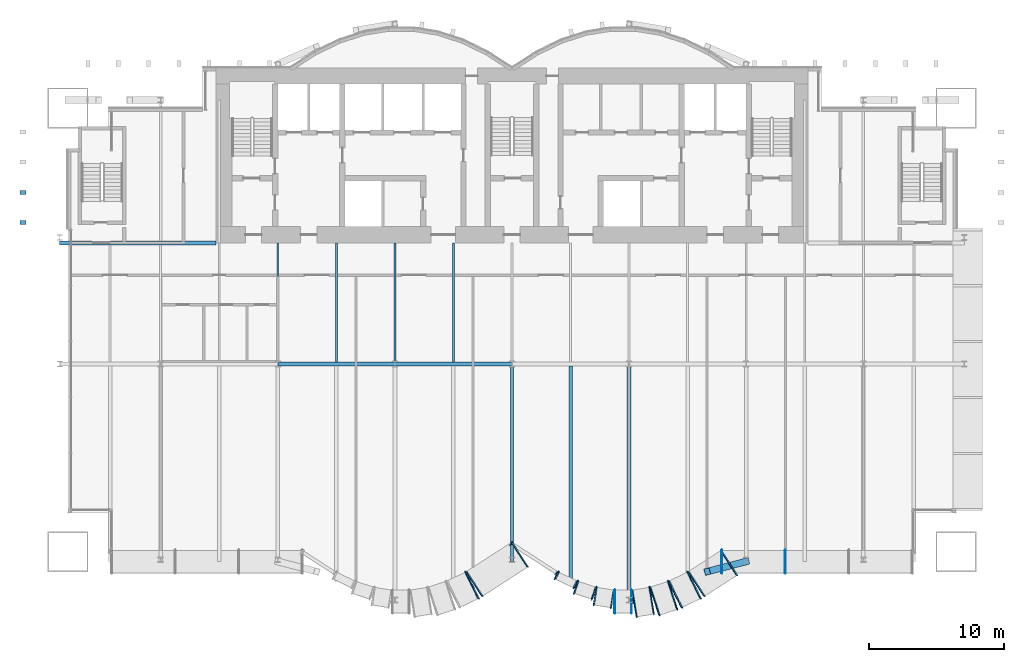
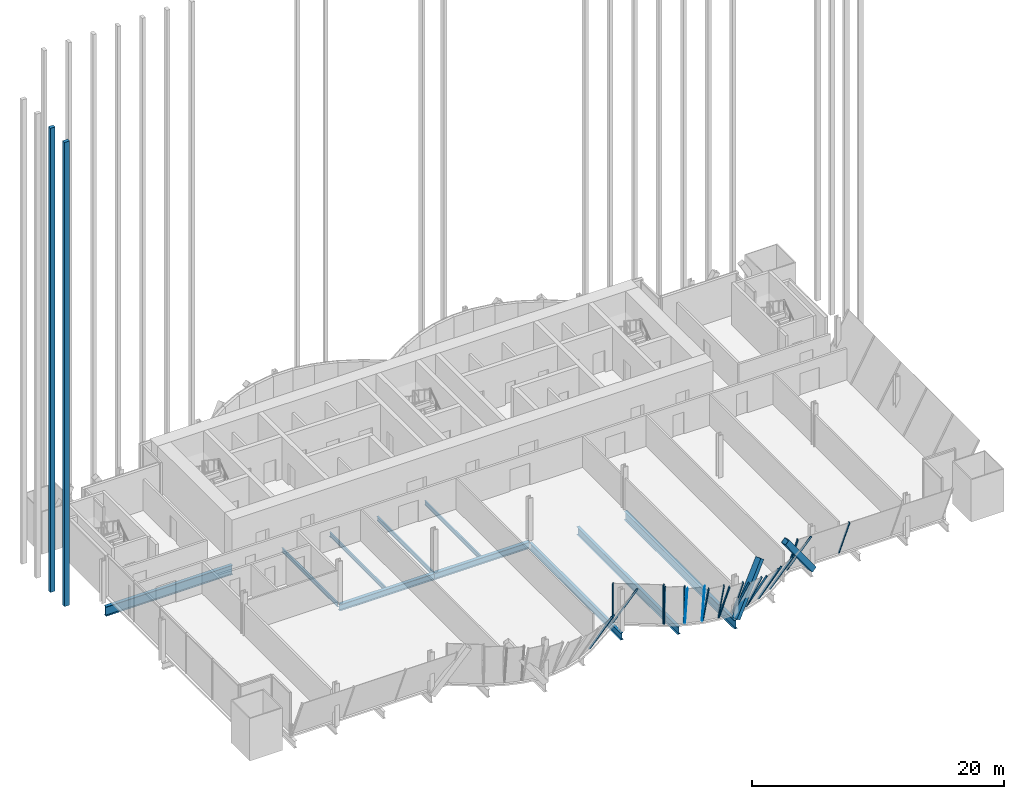
# One storey, part 7 of 22: 27 members, 10 beams, 13 elements without a shape of their own.
"""IFC4 building model written with IfcOpenShell, lengths in metres."""

import ifcopenshell
import ifcopenshell.guid

model = None  # the IFC model being written
_history = None  # IfcOwnerHistory: only IFC2X3 demands one
_inside = {}  # id of a spatial element -> (the spatial element, [elements in it])
_under = {}  # id of a project, library or spatial element -> (it, [spatial elements below it])
_declared = {}  # id of a project -> (the project, [libraries it declares])
_typed = {}  # id of a type object -> (the type object, [elements of that type])
_made_of = {}  # id of a material, layer set ... -> (it, [elements and type objects made of it])


def new_model(schema):
    """Start an empty IFC model of exactly this schema.

    Asked for "IFC4X3", IfcOpenShell would pick the latest addendum, in which some entities
    have other attributes; the version numbers below select the first issue.
    IFC2X3 requires an IfcOwnerHistory on every rooted entity: one is made here for all.
    """
    global model, _history
    if schema == "IFC4X3":
        model = ifcopenshell.file(schema_version=(4, 3, 0, 0))
    else:
        model = ifcopenshell.file(schema=schema)
    _inside.clear()
    _under.clear()
    _declared.clear()
    _typed.clear()
    _made_of.clear()
    _history = None
    if model.schema == "IFC2X3":
        org = make("IfcOrganization", Name="unknown")
        user = make(
            "IfcPersonAndOrganization",
            ThePerson=make("IfcPerson", FamilyName="unknown"),
            TheOrganization=org,
        )
        app = make(
            "IfcApplication",
            ApplicationDeveloper=org,
            Version="unknown",
            ApplicationFullName="unknown",
            ApplicationIdentifier="unknown",
        )
        _history = make(
            "IfcOwnerHistory",
            OwningUser=user,
            OwningApplication=app,
            ChangeAction="ADDED",
            CreationDate=0,
        )
    return model


def make(cls, **values):
    """One entity of the class cls with the attributes given. An attribute that is None is left unset."""
    return model.create_entity(
        cls, **{name: value for name, value in values.items() if value is not None}
    )


def rooted(cls, **values):
    """An entity with a GlobalId (a new one), such as an element, a storey or a relation."""
    return make(cls, GlobalId=ifcopenshell.guid.new(), OwnerHistory=_history, **values)


def si_unit(unit_type, name, prefix=None):
    """IfcSIUnit, for example si_unit("LENGTHUNIT", "METRE", prefix="MILLI")."""
    return make("IfcSIUnit", UnitType=unit_type, Prefix=prefix, Name=name)


def assignment(units):
    """IfcUnitAssignment: the units of a project."""
    return None if units is None else make("IfcUnitAssignment", Units=units)


def point(xyz):
    """IfcCartesianPoint."""
    return None if xyz is None else make("IfcCartesianPoint", Coordinates=xyz)


def direction(xyz):
    """IfcDirection."""
    return None if xyz is None else make("IfcDirection", DirectionRatios=xyz)


def frame(location, z_axis=None, x_axis=None):
    """IfcAxis2Placement3D, a coordinate frame: its origin and axes. An axis left out is left unset."""
    return make(
        "IfcAxis2Placement3D",
        Location=point(location),
        Axis=direction(z_axis),
        RefDirection=direction(x_axis),
    )


def frame_2d(location, x_axis=None):
    """IfcAxis2Placement2D, a coordinate frame in the plane: its origin and x axis."""
    return make(
        "IfcAxis2Placement2D", Location=point(location), RefDirection=direction(x_axis)
    )


def origin():
    """The frame at (0, 0, 0) with its axes left unset."""
    return frame((0.0, 0.0, 0.0))


def origin_2d():
    """The frame at (0, 0) in the plane with its x axis left unset."""
    return frame_2d((0.0, 0.0))


def place(relative_to, where):
    """IfcLocalPlacement: puts the frame where relative to a parent placement (None: the world)."""
    return make(
        "IfcLocalPlacement", PlacementRelTo=relative_to, RelativePlacement=where
    )


def context(
    kind, dimensions, precision=None, world=None, true_north=None, identifier=None
):
    """IfcGeometricRepresentationContext, for example the 3D "Model" context."""
    return make(
        "IfcGeometricRepresentationContext",
        ContextIdentifier=identifier,
        ContextType=kind,
        CoordinateSpaceDimension=dimensions,
        Precision=precision,
        WorldCoordinateSystem=world,
        TrueNorth=true_north,
    )


def subcontext(parent, identifier, kind, view, scale=None):
    """IfcGeometricRepresentationSubContext, for example "Body" below "Model"."""
    return make(
        "IfcGeometricRepresentationSubContext",
        ContextIdentifier=identifier,
        ContextType=kind,
        ParentContext=parent,
        TargetScale=scale,
        TargetView=view,
    )


def project(units=None, contexts=None):
    """IfcProject with its units and contexts."""
    return rooted(
        "IfcProject",
        Name="project",
        RepresentationContexts=contexts,
        UnitsInContext=assignment(units),
    )


def spatial(cls, under=None, at=None, **own):
    """A site, building, storey or space (cls), placed at a placement, below another one or the project."""
    s = rooted(cls, ObjectPlacement=at, **own)
    if under is not None:
        _under.setdefault(under.id(), (under, []))[1].append(s)
    return s


def profile(cls, at=None, kind="AREA", **sizes):
    """A parametric profile (cls). Its sizes go by their IFC names, for example OverallWidth=200.0."""
    return make(cls, ProfileType=kind, Position=at, **sizes)


def rectangle(**sizes):
    """IfcRectangleProfileDef."""
    return profile("IfcRectangleProfileDef", **sizes)


def hollow_rectangle(**sizes):
    """IfcRectangleHollowProfileDef."""
    return profile("IfcRectangleHollowProfileDef", **sizes)


def i_section(**sizes):
    """IfcIShapeProfileDef."""
    return profile("IfcIShapeProfileDef", **sizes)


def extrude(swept, where, along, depth):
    """IfcExtrudedAreaSolid: the profile swept, set in the frame where, extruded along a direction by depth."""
    return make(
        "IfcExtrudedAreaSolid",
        SweptArea=swept,
        Position=where,
        ExtrudedDirection=direction(along),
        Depth=depth,
    )


def shape(context_of_items, identifier, shape_type, items):
    """IfcShapeRepresentation: the items that make up one representation, for example the "Body"."""
    return make(
        "IfcShapeRepresentation",
        ContextOfItems=context_of_items,
        RepresentationIdentifier=identifier,
        RepresentationType=shape_type,
        Items=items,
    )


def material(Name=None, Category=None):
    """IfcMaterial."""
    return make("IfcMaterial", Name=Name, Category=Category)


def material_profile(
    of_material, cross_section, Name=None, Category=None, Priority=None
):
    """IfcMaterialProfile: a cross section and its material."""
    return make(
        "IfcMaterialProfile",
        Name=Name,
        Material=of_material,
        Profile=cross_section,
        Priority=Priority,
        Category=Category,
    )


def profile_set(profiles, Name=None, composite=None):
    """IfcMaterialProfileSet."""
    return make(
        "IfcMaterialProfileSet",
        Name=Name,
        MaterialProfiles=profiles,
        CompositeProfile=composite,
    )


def made_of(thing, what):
    """Note that an element or type object is made of a material, layer set ...; save() writes the relation."""
    if what is not None:
        _made_of.setdefault(what.id(), (what, []))[1].append(thing)
    return thing


def type_object(cls, material=None, **own):
    """A type object (cls), such as IfcWallType, which elements share."""
    return made_of(rooted(cls, **own), material)


def element(
    cls,
    number,
    at=None,
    inside=None,
    cuts=None,
    type_object=None,
    material=None,
    context=None,
    identifier="Body",
    shape_type=None,
    held_by="IfcProductDefinitionShape",
    body=None,
    shapes=None,
    **own,
):
    """One element of the class cls, such as IfcWall. Its Tag is "e" and its number.

    at: its placement. inside: the storey or other place that contains it. cuts: it is an
    opening in that element (IfcRelVoidsElement). A single representation is given by context,
    identifier, shape_type and body (its items); several are given by shapes. held_by: the class
    of the entity that holds the representations. save() writes the other relations.
    """
    e = rooted(cls, Tag="e%d" % number, ObjectPlacement=at, **own)
    if body is not None:
        shapes = [shape(context, identifier, shape_type, body)]
    if shapes is not None:
        e.Representation = make(held_by, Representations=shapes)
    if inside is not None:
        _inside.setdefault(inside.id(), (inside, []))[1].append(e)
    if cuts is not None:
        rooted(
            "IfcRelVoidsElement", RelatingBuildingElement=cuts, RelatedOpeningElement=e
        )
    if type_object is not None:
        _typed.setdefault(type_object.id(), (type_object, []))[1].append(e)
    return made_of(e, material)


def aggregate(whole, parts):
    """IfcRelAggregates: a whole, such as a stair, and the parts it consists of."""
    return rooted("IfcRelAggregates", RelatingObject=whole, RelatedObjects=parts)


def save(model, path):
    """Write the relations noted so far, then the file.

    IfcRelAggregates (storeys below a building ...), IfcRelContainedInSpatialStructure (elements
    in a storey), IfcRelDefinesByType, IfcRelAssociatesMaterial and IfcRelDeclares: one each for
    every whole, place, type object, material and project.
    """
    for whole, parts in _under.values():
        aggregate(whole, parts)
    for where, things in _inside.values():
        rooted(
            "IfcRelContainedInSpatialStructure",
            RelatedElements=things,
            RelatingStructure=where,
        )
    for kind, things in _typed.values():
        rooted("IfcRelDefinesByType", RelatedObjects=things, RelatingType=kind)
    for what, things in _made_of.values():
        rooted("IfcRelAssociatesMaterial", RelatedObjects=things, RelatingMaterial=what)
    for by, libraries in _declared.values():
        rooted("IfcRelDeclares", RelatingContext=by, RelatedDefinitions=libraries)
    model.write(path)


model = new_model("IFC4")

# Units and contexts
model_context = context("Model", 3, precision=1e-05, world=origin(), true_north=direction((0.0, 1.0)))
body_context = subcontext(model_context, "Body", "Model", "MODEL_VIEW")
ifc_project = project(units=[si_unit("LENGTHUNIT", "METRE"), si_unit("AREAUNIT", "SQUARE_METRE"), si_unit("VOLUMEUNIT", "CUBIC_METRE"), si_unit("PLANEANGLEUNIT", "RADIAN"), si_unit("MASSUNIT", "GRAM", prefix="KILO")], contexts=[model_context])

# Site, building, storey
site_placement = place(None, origin())
site = spatial("IfcSite", under=ifc_project, at=site_placement, CompositionType="ELEMENT")
building_placement = place(site_placement, origin())
building = spatial("IfcBuilding", under=site, at=building_placement, Name="Bicima Exchange Tower", CompositionType="ELEMENT")
storey_placement = place(building_placement, frame((0.0, 0.0, 89.89990234375)))
storey = spatial("IfcBuildingStorey", under=building, at=storey_placement, Name="L18", CompositionType="ELEMENT", Elevation=89.89990234375)

# Beams
ifc_material_1 = material(Name="Steel ASTM A992 Gr 50", Category="steel")
ifc_material_profile_1 = material_profile(ifc_material_1, i_section(OverallWidth=0.3046875, OverallDepth=0.911865234375, WebThickness=0.015869140625, FlangeThickness=0.02392578125, at=origin_2d()))
ifc_profile_set_1 = profile_set([ifc_material_profile_1], Name="Steel ASTM A992 Gr 50")
beam_type_1 = type_object("IfcBeamType", Name="Core-line girder W36x150", PredefinedType="BEAM", material=ifc_profile_set_1)
beam_1_placement = place(storey_placement, frame((-22.0, -13.0, -0.605712890625), z_axis=(-1.0, 0.0, 0.0), x_axis=(0.0, -1.0, 0.0)))
element("IfcBeam", 1, at=beam_1_placement, inside=storey, type_object=beam_type_1, Name="Core-line girder", PredefinedType="BEAM", context=body_context, shape_type="SweptSolid", body=[
    extrude(i_section(OverallWidth=0.3046875, OverallDepth=0.911865234375, WebThickness=0.015869140625, FlangeThickness=0.02392578125, at=origin_2d()), origin(), (0.0, 0.0, 1.0), 11.60009765625),
])
ifc_material_profile_2 = material_profile(ifc_material_1, i_section(OverallWidth=0.140380859375, OverallDepth=0.40380859375, WebThickness=0.007080078125, FlangeThickness=0.01123046875, at=origin_2d()))
ifc_profile_set_2 = profile_set([ifc_material_profile_2], Name="Steel ASTM A992 Gr 50")
beam_type_2 = type_object("IfcBeamType", Name="Floor beam W16x31", PredefinedType="JOIST", material=ifc_profile_set_2)
for number, where, z_axis, x_axis, name in (
    (2, (-17.39990234375, -13.0, -0.351806640625), (0.0, -1.0, 0.0), (1.0, 0.0, 0.0), "Floor beam"),
    (3, (-13.050048828125, -13.0, -0.351806640625), (0.0, -1.0, 0.0), (1.0, 0.0, 0.0), "Floor beam"),
    (4, (-8.699951171875, -13.0, -0.351806640625), (0.0, -1.0, 0.0), (1.0, 0.0, 0.0), "Floor beam"),
    (5, (-4.35009765625, -13.0, -0.351806640625), (0.0, -1.0, 0.0), (1.0, 0.0, 0.0), "Floor beam"),
):
    element("IfcBeam", number, at=place(storey_placement, frame(where, z_axis=z_axis, x_axis=x_axis)), inside=storey, type_object=beam_type_2, Name=name, PredefinedType="JOIST", context=body_context, shape_type="SweptSolid", body=[
        extrude(i_section(OverallWidth=0.140380859375, OverallDepth=0.40380859375, WebThickness=0.007080078125, FlangeThickness=0.01123046875, at=origin_2d()), origin(), (0.0, 0.0, 1.0), 8.83740234375),
    ])
ifc_material_profile_3 = material_profile(ifc_material_1, i_section(OverallWidth=0.25390625, OverallDepth=0.67822265625, WebThickness=0.01171875, FlangeThickness=0.016357421875, at=origin_2d()))
ifc_profile_set_3 = profile_set([ifc_material_profile_3], Name="Steel ASTM A992 Gr 50")
beam_type_3 = type_object("IfcBeamType", Name="Floor beam W27x84", PredefinedType="JOIST", material=ifc_profile_set_3)
beam_2_placement = place(storey_placement, frame((0.0, -22.16259765625, -0.489013671875), z_axis=(0.0, -1.0, 0.0), x_axis=(1.0, 0.0, 0.0)))
element("IfcBeam", 6, at=beam_2_placement, inside=storey, type_object=beam_type_3, Name="Floor beam", PredefinedType="JOIST", context=body_context, shape_type="SweptSolid", body=[
    extrude(i_section(OverallWidth=0.25390625, OverallDepth=0.67822265625, WebThickness=0.01171875, FlangeThickness=0.016357421875, at=origin_2d()), origin(), (0.0, 0.0, 1.0), 14.509521484375),
])
ifc_material_profile_4 = material_profile(ifc_material_1, i_section(OverallWidth=0.2666015625, OverallDepth=0.75439453125, WebThickness=0.01318359375, FlangeThickness=0.01708984375, at=origin_2d()))
ifc_profile_set_4 = profile_set([ifc_material_profile_4], Name="Steel ASTM A992 Gr 50")
beam_type_4 = type_object("IfcBeamType", Name="Floor beam W30x99", PredefinedType="JOIST", material=ifc_profile_set_4)
beam_3_placement = place(storey_placement, frame((4.35009765625, -22.16259765625, -0.527099609375), z_axis=(0.0, -1.0, 0.0), x_axis=(1.0, 0.0, 0.0)))
element("IfcBeam", 7, at=beam_3_placement, inside=storey, type_object=beam_type_4, Name="Floor beam", PredefinedType="JOIST", context=body_context, shape_type="SweptSolid", body=[
    extrude(i_section(OverallWidth=0.2666015625, OverallDepth=0.75439453125, WebThickness=0.01318359375, FlangeThickness=0.01708984375, at=origin_2d()), origin(), (0.0, 0.0, 1.0), 16.0048828125),
])
ifc_material_profile_5 = material_profile(ifc_material_1, i_section(OverallWidth=0.2919921875, OverallDepth=0.835693359375, WebThickness=0.013916015625, FlangeThickness=0.018798828125, at=origin_2d()))
ifc_profile_set_5 = profile_set([ifc_material_profile_5], Name="Steel ASTM A992 Gr 50")
beam_type_5 = type_object("IfcBeamType", Name="Floor beam W33x118", PredefinedType="JOIST", material=ifc_profile_set_5)
beam_4_placement = place(storey_placement, frame((8.699951171875, -22.16259765625, -0.567626953125), z_axis=(0.0, -1.0, 0.0), x_axis=(1.0, 0.0, 0.0)))
element("IfcBeam", 8, at=beam_4_placement, inside=storey, type_object=beam_type_5, Name="Floor beam", PredefinedType="JOIST", context=body_context, shape_type="SweptSolid", body=[
    extrude(i_section(OverallWidth=0.2919921875, OverallDepth=0.835693359375, WebThickness=0.013916015625, FlangeThickness=0.018798828125, at=origin_2d()), origin(), (0.0, 0.0, 1.0), 17.50048828125),
])

# Curtain wall, member
ifc_material_2 = material(Name="Anodised bronze aluminium", Category="aluminium")
curtain_wall_type_1 = type_object("IfcCurtainWallType", Name="Front glass wall", PredefinedType="NOTDEFINED", material=ifc_material_2)
curtain_wall_1_placement = place(storey_placement, origin())
curtain_wall_1 = element("IfcCurtainWall", 9, at=curtain_wall_1_placement, inside=storey, type_object=curtain_wall_type_1, Name="Canted glass wall L18 43.1", PredefinedType="NOTDEFINED")
ifc_material_profile_6 = material_profile(ifc_material_2, rectangle(XDim=0.159912109375, YDim=0.06005859375, at=origin_2d()))
ifc_profile_set_6 = profile_set([ifc_material_profile_6], Name="Anodised bronze aluminium")
member_type_1 = type_object("IfcMemberType", Name="Front glass wall mullion 60 x 160", PredefinedType="MULLION", material=ifc_profile_set_6)
member_1_placement = place(storey_placement, frame((-3.447509765625, -37.4501953125, 0.0), z_axis=(0.211468405272, -0.436234670385, 0.874631594402), x_axis=(-0.735862958837, 0.517894230961, 0.436223877554)))
member_1 = element("IfcMember", 10, at=member_1_placement, type_object=member_type_1, Name="Canted glass mullion 2", PredefinedType="MULLION", context=body_context, shape_type="SweptSolid", body=[
    extrude(rectangle(XDim=0.159912109375, YDim=0.06005859375, at=origin_2d()), origin(), (0.0, 0.0, 1.0), 4.516357421875),
])
aggregate(curtain_wall_1, [member_1])

# Curtain wall, members
curtain_wall_2_placement = place(storey_placement, origin())
curtain_wall_2 = element("IfcCurtainWall", 11, at=curtain_wall_2_placement, inside=storey, type_object=curtain_wall_type_1, Name="Canted glass wall L18 44.1", PredefinedType="NOTDEFINED")
member_2_placement = place(storey_placement, frame((-3.3955078125, -37.4208984375, 0.0), z_axis=(0.263202446928, -0.407101587147, 0.874638650914), x_axis=(-0.854710803456, 0.322068996881, 0.407113010973)))
member_2 = element("IfcMember", 12, at=member_2_placement, type_object=member_type_1, Name="Canted glass mullion 1", PredefinedType="MULLION", context=body_context, shape_type="SweptSolid", body=[
    extrude(rectangle(XDim=0.159912109375, YDim=0.06005859375, at=origin_2d()), origin(), (0.0, 0.0, 1.0), 4.516357421875),
])
member_3_placement = place(storey_placement, frame((-0.025146484375, -35.2421875, 0.0), z_axis=(0.263202446928, -0.407101587147, 0.874638650914), x_axis=(-0.854710803456, 0.322068996881, 0.407113010973)))
member_3 = element("IfcMember", 13, at=member_3_placement, type_object=member_type_1, Name="Canted glass mullion 2", PredefinedType="MULLION", context=body_context, shape_type="SweptSolid", body=[
    extrude(rectangle(XDim=0.159912109375, YDim=0.06005859375, at=origin_2d()), origin(), (0.0, 0.0, 1.0), 4.516357421875),
])
aggregate(curtain_wall_2, [member_2, member_3])

curtain_wall_3_placement = place(storey_placement, origin())
curtain_wall_3 = element("IfcCurtainWall", 14, at=curtain_wall_3_placement, inside=storey, type_object=curtain_wall_type_1, Name="Canted glass wall L18 45.1", PredefinedType="NOTDEFINED")
member_4_placement = place(storey_placement, frame((0.025146484375, -35.2421875, 0.0), z_axis=(-0.032758433184, -0.050710794872, 0.998175986657), x_axis=(0.910881897078, 0.409540854769, 0.05069968294)))
member_4 = element("IfcMember", 15, at=member_4_placement, type_object=member_type_1, Name="Canted glass mullion 1", PredefinedType="MULLION", context=body_context, shape_type="SweptSolid", body=[
    extrude(rectangle(XDim=0.159912109375, YDim=0.06005859375, at=origin_2d()), origin(), (0.0, 0.0, 1.0), 3.95751953125),
])
member_5_placement = place(storey_placement, frame((3.3955078125, -37.4208984375, 0.0), z_axis=(-0.032820058759, -0.050710692293, 0.998173967518), x_axis=(0.911231977344, 0.408757853479, 0.050727711218)))
member_5 = element("IfcMember", 16, at=member_5_placement, type_object=member_type_1, Name="Canted glass mullion 2", PredefinedType="MULLION", context=body_context, shape_type="SweptSolid", body=[
    extrude(rectangle(XDim=0.159912109375, YDim=0.06005859375, at=origin_2d()), origin(), (0.0, 0.0, 1.0), 3.95751953125),
])
aggregate(curtain_wall_3, [member_4, member_5])

curtain_wall_4_placement = place(storey_placement, origin())
curtain_wall_4 = element("IfcCurtainWall", 17, at=curtain_wall_4_placement, inside=storey, type_object=curtain_wall_type_1, Name="Canted glass wall L18 46.1", PredefinedType="NOTDEFINED")
member_6_placement = place(storey_placement, frame((3.447509765625, -37.4501953125, 0.0), z_axis=(-0.062452607082, -0.128819971122, 0.989699493235), x_axis=(0.781051508244, 0.611035322991, 0.128819158228)))
member_6 = element("IfcMember", 18, at=member_6_placement, type_object=member_type_1, Name="Canted glass mullion 1", PredefinedType="MULLION", context=body_context, shape_type="SweptSolid", body=[
    extrude(rectangle(XDim=0.159912109375, YDim=0.06005859375, at=origin_2d()), origin(), (0.0, 0.0, 1.0), 3.9912109375),
])
member_7_placement = place(storey_placement, frame((4.8466796875, -38.128662109375, 0.0), z_axis=(-0.062452607082, -0.128819971122, 0.989699493235), x_axis=(0.781051508244, 0.611035322991, 0.128819158228)))
member_7 = element("IfcMember", 19, at=member_7_placement, type_object=member_type_1, Name="Canted glass mullion 2", PredefinedType="MULLION", context=body_context, shape_type="SweptSolid", body=[
    extrude(rectangle(XDim=0.159912109375, YDim=0.06005859375, at=origin_2d()), origin(), (0.0, 0.0, 1.0), 3.9912109375),
])
aggregate(curtain_wall_4, [member_6, member_7])

curtain_wall_5_placement = place(storey_placement, origin())
curtain_wall_5 = element("IfcCurtainWall", 20, at=curtain_wall_5_placement, inside=storey, type_object=curtain_wall_type_1, Name="Canted glass wall L18 47.1", PredefinedType="NOTDEFINED")
member_8_placement = place(storey_placement, frame((4.90234375, -38.15087890625, 0.0), z_axis=(-0.071018549868, -0.219730551413, 0.972972173472), x_axis=(0.577402534066, 0.786337207926, 0.219727351699)))
member_8 = element("IfcMember", 21, at=member_8_placement, type_object=member_type_1, Name="Canted glass mullion 1", PredefinedType="MULLION", context=body_context, shape_type="SweptSolid", body=[
    extrude(rectangle(XDim=0.159912109375, YDim=0.06005859375, at=origin_2d()), origin(), (0.0, 0.0, 1.0), 4.059814453125),
])
member_9_placement = place(storey_placement, frame((6.230224609375, -38.580078125, 0.0), z_axis=(-0.071018549868, -0.219730551413, 0.972972173472), x_axis=(0.577402534066, 0.786337207926, 0.219727351699)))
member_9 = element("IfcMember", 22, at=member_9_placement, type_object=member_type_1, Name="Canted glass mullion 2", PredefinedType="MULLION", context=body_context, shape_type="SweptSolid", body=[
    extrude(rectangle(XDim=0.159912109375, YDim=0.06005859375, at=origin_2d()), origin(), (0.0, 0.0, 1.0), 4.059814453125),
])
aggregate(curtain_wall_5, [member_8, member_9])

curtain_wall_6_placement = place(storey_placement, origin())
curtain_wall_6 = element("IfcCurtainWall", 23, at=curtain_wall_6_placement, inside=storey, type_object=curtain_wall_type_1, Name="Canted glass wall L18 48.1", PredefinedType="NOTDEFINED")
member_10_placement = place(storey_placement, frame((6.288330078125, -38.59423828125, 0.0), z_axis=(-0.050535241989, -0.312532917682, 0.948561734777), x_axis=(0.306995075409, 0.89893019655, 0.312535638616)))
member_10 = element("IfcMember", 24, at=member_10_placement, type_object=member_type_1, Name="Canted glass mullion 1", PredefinedType="MULLION", context=body_context, shape_type="SweptSolid", body=[
    extrude(rectangle(XDim=0.159912109375, YDim=0.06005859375, at=origin_2d()), origin(), (0.0, 0.0, 1.0), 4.164306640625),
])
member_11_placement = place(storey_placement, frame((7.56298828125, -38.80029296875, 0.0), z_axis=(-0.050535241989, -0.312532917682, 0.948561734777), x_axis=(0.306995075409, 0.89893019655, 0.312535638616)))
member_11 = element("IfcMember", 25, at=member_11_placement, type_object=member_type_1, Name="Canted glass mullion 2", PredefinedType="MULLION", context=body_context, shape_type="SweptSolid", body=[
    extrude(rectangle(XDim=0.159912109375, YDim=0.06005859375, at=origin_2d()), origin(), (0.0, 0.0, 1.0), 4.164306640625),
])
aggregate(curtain_wall_6, [member_10, member_11])

curtain_wall_7_placement = place(storey_placement, origin())
curtain_wall_7 = element("IfcCurtainWall", 26, at=curtain_wall_7_placement, inside=storey, type_object=curtain_wall_type_1, Name="Canted glass wall L18 49.1", PredefinedType="NOTDEFINED")
member_12_placement = place(storey_placement, frame((7.62255859375, -38.804931640625, 0.0), z_axis=(0.0, -0.392560507207, 0.91972618109), x_axis=(0.0, 0.91972618109, 0.392560507207)))
member_12 = element("IfcMember", 27, at=member_12_placement, type_object=member_type_1, Name="Canted glass mullion 1", PredefinedType="MULLION", context=body_context, shape_type="SweptSolid", body=[
    extrude(rectangle(XDim=0.159912109375, YDim=0.06005859375, at=origin_2d()), origin(), (0.0, 0.0, 1.0), 4.294921875),
])
member_13_placement = place(storey_placement, frame((8.87744140625, -38.804931640625, 0.0), z_axis=(0.0, -0.392560507207, 0.91972618109), x_axis=(0.0, 0.91972618109, 0.392560507207)))
member_13 = element("IfcMember", 28, at=member_13_placement, type_object=member_type_1, Name="Canted glass mullion 2", PredefinedType="MULLION", context=body_context, shape_type="SweptSolid", body=[
    extrude(rectangle(XDim=0.159912109375, YDim=0.06005859375, at=origin_2d()), origin(), (0.0, 0.0, 1.0), 4.294921875),
])
aggregate(curtain_wall_7, [member_12, member_13])

curtain_wall_8_placement = place(storey_placement, origin())
curtain_wall_8 = element("IfcCurtainWall", 29, at=curtain_wall_8_placement, inside=storey, type_object=curtain_wall_type_1, Name="Canted glass wall L18 50.1", PredefinedType="NOTDEFINED")
member_14_placement = place(storey_placement, frame((8.93701171875, -38.80029296875, 0.0), z_axis=(0.072379022508, -0.447714379714, 0.891242453712), x_axis=(-0.297936279173, 0.843080281656, 0.447715995064)))
member_14 = element("IfcMember", 30, at=member_14_placement, type_object=member_type_1, Name="Canted glass mullion 1", PredefinedType="MULLION", context=body_context, shape_type="SweptSolid", body=[
    extrude(rectangle(XDim=0.159912109375, YDim=0.06005859375, at=origin_2d()), origin(), (0.0, 0.0, 1.0), 4.43212890625),
])
member_15_placement = place(storey_placement, frame((10.211669921875, -38.59423828125, 0.0), z_axis=(0.072379022508, -0.447714379714, 0.891242453712), x_axis=(-0.297936279173, 0.843080281656, 0.447715995064)))
member_15 = element("IfcMember", 31, at=member_15_placement, type_object=member_type_1, Name="Canted glass mullion 2", PredefinedType="MULLION", context=body_context, shape_type="SweptSolid", body=[
    extrude(rectangle(XDim=0.159912109375, YDim=0.06005859375, at=origin_2d()), origin(), (0.0, 0.0, 1.0), 4.43212890625),
])
aggregate(curtain_wall_8, [member_14, member_15])

curtain_wall_9_placement = place(storey_placement, origin())
curtain_wall_9 = element("IfcCurtainWall", 32, at=curtain_wall_9_placement, inside=storey, type_object=curtain_wall_type_1, Name="Canted glass wall L18 51.1", PredefinedType="NOTDEFINED")
member_16_placement = place(storey_placement, frame((10.269775390625, -38.580078125, 0.0), z_axis=(0.149085846677, -0.461312043344, 0.874622552297), x_axis=(-0.548603486377, 0.697305738941, 0.461301334459)))
member_16 = element("IfcMember", 33, at=member_16_placement, type_object=member_type_1, Name="Canted glass mullion 1", PredefinedType="MULLION", context=body_context, shape_type="SweptSolid", body=[
    extrude(rectangle(XDim=0.159912109375, YDim=0.06005859375, at=origin_2d()), origin(), (0.0, 0.0, 1.0), 4.516357421875),
])
member_17_placement = place(storey_placement, frame((11.59765625, -38.15087890625, 0.0), z_axis=(0.149085846677, -0.461312043344, 0.874622552297), x_axis=(-0.548603486377, 0.697305738941, 0.461301334459)))
member_17 = element("IfcMember", 34, at=member_17_placement, type_object=member_type_1, Name="Canted glass mullion 2", PredefinedType="MULLION", context=body_context, shape_type="SweptSolid", body=[
    extrude(rectangle(XDim=0.159912109375, YDim=0.06005859375, at=origin_2d()), origin(), (0.0, 0.0, 1.0), 4.516357421875),
])
aggregate(curtain_wall_9, [member_16, member_17])

curtain_wall_10_placement = place(storey_placement, origin())
curtain_wall_10 = element("IfcCurtainWall", 35, at=curtain_wall_10_placement, inside=storey, type_object=curtain_wall_type_1, Name="Canted glass wall L18 52.1", PredefinedType="NOTDEFINED")
member_18_placement = place(storey_placement, frame((11.6533203125, -38.128662109375, 0.0), z_axis=(0.211468405272, -0.436234670385, 0.874631594402), x_axis=(-0.735862958837, 0.517894230961, 0.436223877554)))
member_18 = element("IfcMember", 36, at=member_18_placement, type_object=member_type_1, Name="Canted glass mullion 1", PredefinedType="MULLION", context=body_context, shape_type="SweptSolid", body=[
    extrude(rectangle(XDim=0.159912109375, YDim=0.06005859375, at=origin_2d()), origin(), (0.0, 0.0, 1.0), 4.516357421875),
])
member_19_placement = place(storey_placement, frame((13.052490234375, -37.4501953125, 0.0), z_axis=(0.211468405272, -0.436234670385, 0.874631594402), x_axis=(-0.735862958837, 0.517894230961, 0.436223877554)))
member_19 = element("IfcMember", 37, at=member_19_placement, type_object=member_type_1, Name="Canted glass mullion 2", PredefinedType="MULLION", context=body_context, shape_type="SweptSolid", body=[
    extrude(rectangle(XDim=0.159912109375, YDim=0.06005859375, at=origin_2d()), origin(), (0.0, 0.0, 1.0), 4.516357421875),
])
aggregate(curtain_wall_10, [member_18, member_19])

curtain_wall_11_placement = place(storey_placement, origin())
curtain_wall_11 = element("IfcCurtainWall", 38, at=curtain_wall_11_placement, inside=storey, type_object=curtain_wall_type_1, Name="Canted glass wall L18 53.1", PredefinedType="NOTDEFINED")
member_20_placement = place(storey_placement, frame((13.1044921875, -37.4208984375, 0.0), z_axis=(0.263202446928, -0.407101587147, 0.874638650914), x_axis=(-0.854710022542, 0.322070488642, 0.407113470316)))
member_20 = element("IfcMember", 39, at=member_20_placement, type_object=member_type_1, Name="Canted glass mullion 1", PredefinedType="MULLION", context=body_context, shape_type="SweptSolid", body=[
    extrude(rectangle(XDim=0.159912109375, YDim=0.06005859375, at=origin_2d()), origin(), (0.0, 0.0, 1.0), 4.516357421875),
])
member_21_placement = place(storey_placement, frame((15.521728515625, -35.8583984375, 0.0), z_axis=(0.263202446928, -0.407101587147, 0.874638650914), x_axis=(-0.854710022542, 0.322070488642, 0.407113470316)))
member_21 = element("IfcMember", 40, at=member_21_placement, type_object=member_type_1, Name="Canted glass mullion 2", PredefinedType="MULLION", context=body_context, shape_type="SweptSolid", body=[
    extrude(rectangle(XDim=0.159912109375, YDim=0.06005859375, at=origin_2d()), origin(), (0.0, 0.0, 1.0), 4.516357421875),
])
aggregate(curtain_wall_11, [member_20, member_21])

curtain_wall_12_placement = place(storey_placement, origin())
curtain_wall_12 = element("IfcCurtainWall", 41, at=curtain_wall_12_placement, inside=storey, type_object=curtain_wall_type_1, Name="Canted glass wall L18 54.1", PredefinedType="NOTDEFINED")
member_22_placement = place(storey_placement, frame((15.576904296875, -35.842041015625, 0.0), z_axis=(0.0, -0.392560507207, 0.91972618109), x_axis=(0.0, 0.91972618109, 0.392560507207)))
member_22 = element("IfcMember", 42, at=member_22_placement, type_object=member_type_1, Name="Canted glass mullion 1", PredefinedType="MULLION", context=body_context, shape_type="SweptSolid", body=[
    extrude(rectangle(XDim=0.159912109375, YDim=0.06005859375, at=origin_2d()), origin(), (0.0, 0.0, 1.0), 4.294921875),
])
member_23_placement = place(storey_placement, frame((20.2978515625, -35.842041015625, 0.0), z_axis=(0.0, -0.392560507207, 0.91972618109), x_axis=(0.0, 0.91972618109, 0.392560507207)))
member_23 = element("IfcMember", 43, at=member_23_placement, type_object=member_type_1, Name="Canted glass mullion 2", PredefinedType="MULLION", context=body_context, shape_type="SweptSolid", body=[
    extrude(rectangle(XDim=0.159912109375, YDim=0.06005859375, at=origin_2d()), origin(), (0.0, 0.0, 1.0), 4.294921875),
])
aggregate(curtain_wall_12, [member_22, member_23])

# Members
ifc_material_3 = material(Name="Steel ASTM A572 Gr 50", Category="steel")
ifc_material_profile_7 = material_profile(ifc_material_3, hollow_rectangle(XDim=0.508056640625, YDim=0.508056640625, WallThickness=0.0146484375, at=origin_2d()))
ifc_profile_set_7 = profile_set([ifc_material_profile_7], Name="Steel ASTM A572 Gr 50")
member_type_2 = type_object("IfcMemberType", Name="Mega brace HSS20x20x5/8", PredefinedType="BRACE", material=ifc_profile_set_7)
member_24_placement = place(storey_placement, frame((8.699951171875, -39.6630859375, 0.0), z_axis=(0.560613432134, 0.239885350243, 0.792570248275), x_axis=(-0.393396154839, 0.919369058299, 0.0)))
element("IfcMember", 44, at=member_24_placement, inside=storey, type_object=member_type_2, Name="Mega brace front", PredefinedType="BRACE", context=body_context, shape_type="SweptSolid", body=[
    extrude(hollow_rectangle(XDim=0.508056640625, YDim=0.508056640625, WallThickness=0.0146484375, at=origin_2d()), origin(), (0.0, 0.0, 1.0), 5.173095703125),
])
member_25_placement = place(storey_placement, frame((17.39990234375, -36.672119140625, 0.0), z_axis=(-0.571060084049, -0.14826985176, 0.807407227776), x_axis=(0.251307155067, -0.967907389068, 0.0)))
element("IfcMember", 45, at=member_25_placement, inside=storey, type_object=member_type_2, Name="Mega brace front", PredefinedType="BRACE", context=body_context, shape_type="SweptSolid", body=[
    extrude(hollow_rectangle(XDim=0.508056640625, YDim=0.508056640625, WallThickness=0.0146484375, at=origin_2d()), origin(), (0.0, 0.0, 1.0), 5.078125),
])

# Curtain wall, members
curtain_wall_type_2 = type_object("IfcCurtainWallType", Name="Rear blade screen", PredefinedType="NOTDEFINED", material=ifc_material_2)
curtain_wall_13_placement = place(storey_placement, origin())
curtain_wall_13 = element("IfcCurtainWall", 46, at=curtain_wall_13_placement, inside=storey, type_object=curtain_wall_type_2, Name="End blade screen L18-L28", PredefinedType="NOTDEFINED")
ifc_material_profile_8 = material_profile(ifc_material_2, rectangle(XDim=0.449951171875, YDim=0.300048828125, at=origin_2d()))
ifc_profile_set_8 = profile_set([ifc_material_profile_8], Name="Anodised bronze aluminium")
member_type_3 = type_object("IfcMemberType", Name="Rear blade fin 450 x 300", PredefinedType="USERDEFINED", material=ifc_profile_set_8)
member_26_placement = place(storey_placement, frame((-36.324951171875, -11.5, 0.0), z_axis=(0.0, 0.0, 1.0), x_axis=(1.0, 0.0, 0.0)))
member_26 = element("IfcMember", 47, at=member_26_placement, type_object=member_type_3, Name="End blade fin L18-L28 1", ObjectType="FIN", PredefinedType="USERDEFINED", context=body_context, shape_type="SweptSolid", body=[
    extrude(rectangle(XDim=0.449951171875, YDim=0.300048828125, at=origin_2d()), origin(), (0.0, 0.0, 1.0), 44.900146484375),
])
member_27_placement = place(storey_placement, frame((-36.324951171875, -9.25, 0.0), z_axis=(0.0, 0.0, 1.0), x_axis=(1.0, 0.0, 0.0)))
member_27 = element("IfcMember", 48, at=member_27_placement, type_object=member_type_3, Name="End blade fin L18-L28 2", ObjectType="FIN", PredefinedType="USERDEFINED", context=body_context, shape_type="SweptSolid", body=[
    extrude(rectangle(XDim=0.449951171875, YDim=0.300048828125, at=origin_2d()), origin(), (0.0, 0.0, 1.0), 44.900146484375),
])
aggregate(curtain_wall_13, [member_26, member_27])

# Beams
ifc_material_profile_9 = material_profile(ifc_material_1, i_section(OverallWidth=0.3251953125, OverallDepth=0.612060546875, WebThickness=0.0126953125, FlangeThickness=0.01904296875, at=origin_2d()))
ifc_profile_set_9 = profile_set([ifc_material_profile_9], Name="Steel ASTM A992 Gr 50")
beam_type_6 = type_object("IfcBeamType", Name="Row girder W24x104", PredefinedType="BEAM", material=ifc_profile_set_9)
for number, where, z_axis, x_axis, name in (
    (49, (-17.39990234375, -22.0, -0.4560546875), (1.0, 0.0, 0.0), (0.0, 1.0, 0.0), "Row girder"),
    (50, (-8.699951171875, -22.0, -0.4560546875), (1.0, 0.0, 0.0), (0.0, 1.0, 0.0), "Row girder"),
):
    element("IfcBeam", number, at=place(storey_placement, frame(where, z_axis=z_axis, x_axis=x_axis)), inside=storey, type_object=beam_type_6, Name=name, PredefinedType="BEAM", context=body_context, shape_type="SweptSolid", body=[
        extrude(i_section(OverallWidth=0.3251953125, OverallDepth=0.612060546875, WebThickness=0.0126953125, FlangeThickness=0.01904296875, at=origin_2d()), origin(), (0.0, 0.0, 1.0), 8.699951171875),
    ])

save(model, "model.ifc")
